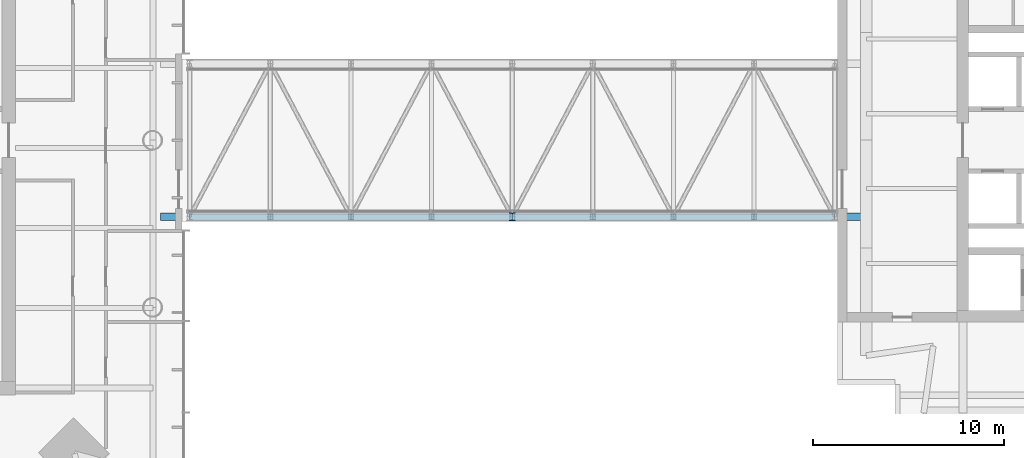
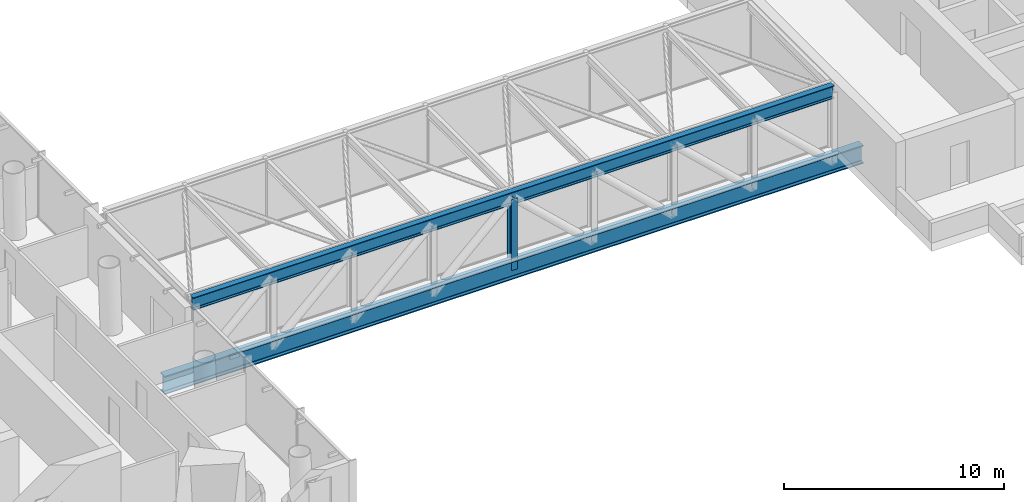
# One storey, part 4 of 19: 3 members.
"""IFC4 building model written with IfcOpenShell, lengths in metres."""

from ifc_helpers import new_model, si_unit, direction, frame, origin, origin_2d, place, context, subcontext, project, spatial, i_section, extrude, material, material_profile, profile_set, type_object, element, save


model = new_model("IFC4")

# Units and contexts
model_context = context("Model", 3, precision=1e-05, world=origin(), true_north=direction((0.0, 1.0)))
body_context = subcontext(model_context, "Body", "Model", "MODEL_VIEW")
ifc_project = project(units=[si_unit("LENGTHUNIT", "METRE"), si_unit("AREAUNIT", "SQUARE_METRE"), si_unit("VOLUMEUNIT", "CUBIC_METRE"), si_unit("PLANEANGLEUNIT", "RADIAN"), si_unit("MASSUNIT", "GRAM", prefix="KILO")], contexts=[model_context])

# Site, building, storey
site_placement = place(None, origin())
site = spatial("IfcSite", under=ifc_project, at=site_placement, CompositionType="ELEMENT")
building_placement = place(site_placement, origin())
building = spatial("IfcBuilding", under=site, at=building_placement, Name="Ostroluk Exchange", CompositionType="ELEMENT")
storey_placement = place(building_placement, frame((0.0, 0.0, 131.199951171875)))
storey = spatial("IfcBuildingStorey", under=building, at=storey_placement, Name="L33", CompositionType="ELEMENT", Elevation=131.199951171875)

# Members
ifc_material_1 = material(Name="Steel S460", Category="steel")
ifc_material_profile_1 = material_profile(ifc_material_1, i_section(OverallWidth=0.300048828125, OverallDepth=0.699951171875, WebThickness=0.01708984375, FlangeThickness=0.031982421875, FilletRadius=0.027099609375, at=origin_2d()), Name="HEB 700")
ifc_profile_set_1 = profile_set([ifc_material_profile_1], Name="Steel S460")
member_type_1 = type_object("IfcMemberType", Name="Bridge truss chord HEB 700", PredefinedType="CHORD", material=ifc_profile_set_1)
member_1_placement = place(storey_placement, frame((67.39990234375, 42.0, 3.25), z_axis=(1.0, 0.0, 0.0), x_axis=(0.0, 1.0, 0.0)))
element("IfcMember", 1, at=member_1_placement, inside=storey, type_object=member_type_1, Name="BR2 S top chord", PredefinedType="CHORD", context=body_context, shape_type="SweptSolid", body=[
    extrude(i_section(OverallWidth=0.300048828125, OverallDepth=0.699951171875, WebThickness=0.01708984375, FlangeThickness=0.031982421875, FilletRadius=0.027099609375, at=origin_2d()), origin(), (0.0, 0.0, 1.0), 33.7001953125),
])
ifc_material_2 = material(Name="Steel S460", Category="steel")
ifc_material_profile_2 = material_profile(ifc_material_2, i_section(OverallWidth=0.402099609375, OverallDepth=1.011962890625, WebThickness=0.035888671875, FlangeThickness=0.055908203125, FilletRadius=0.030029296875, at=origin_2d()), Name="HL 1000x443")
ifc_profile_set_2 = profile_set([ifc_material_profile_2], Name="Steel S460")
member_type_2 = type_object("IfcMemberType", Name="Bridge truss chord HL 1000x443", PredefinedType="CHORD", material=ifc_profile_set_2)
member_2_placement = place(storey_placement, frame((65.878662109375, 42.0, -0.7060546875), z_axis=(1.0, 0.0, 0.0), x_axis=(0.0, 1.0, 0.0)))
element("IfcMember", 2, at=member_2_placement, inside=storey, type_object=member_type_2, Name="BR2 S bottom chord", PredefinedType="CHORD", context=body_context, shape_type="SweptSolid", body=[
    extrude(i_section(OverallWidth=0.402099609375, OverallDepth=1.011962890625, WebThickness=0.035888671875, FlangeThickness=0.055908203125, FilletRadius=0.030029296875, at=origin_2d()), origin(), (0.0, 0.0, 1.0), 36.721435546875),
])
ifc_material_3 = material(Name="Steel S460", Category="steel")
ifc_material_profile_3 = material_profile(ifc_material_3, i_section(OverallWidth=0.300048828125, OverallDepth=0.39990234375, WebThickness=0.013427734375, FlangeThickness=0.02392578125, FilletRadius=0.027099609375, at=origin_2d()), Name="HEB 400")
ifc_profile_set_3 = profile_set([ifc_material_profile_3], Name="Steel S460")
member_type_3 = type_object("IfcMemberType", Name="Bridge truss post HEB 400", PredefinedType="POST", material=ifc_profile_set_3)
member_3_placement = place(storey_placement, frame((84.25, 42.0, -0.7060546875), z_axis=(0.0, 0.0, 1.0), x_axis=(1.0, 0.0, 0.0)))
element("IfcMember", 3, at=member_3_placement, inside=storey, type_object=member_type_3, Name="BR2 S post 5", PredefinedType="POST", context=body_context, shape_type="SweptSolid", body=[
    extrude(i_section(OverallWidth=0.300048828125, OverallDepth=0.39990234375, WebThickness=0.013427734375, FlangeThickness=0.02392578125, FilletRadius=0.027099609375, at=origin_2d()), origin(), (0.0, 0.0, 1.0), 3.9560546875),
])

save(model, "model.ifc")
